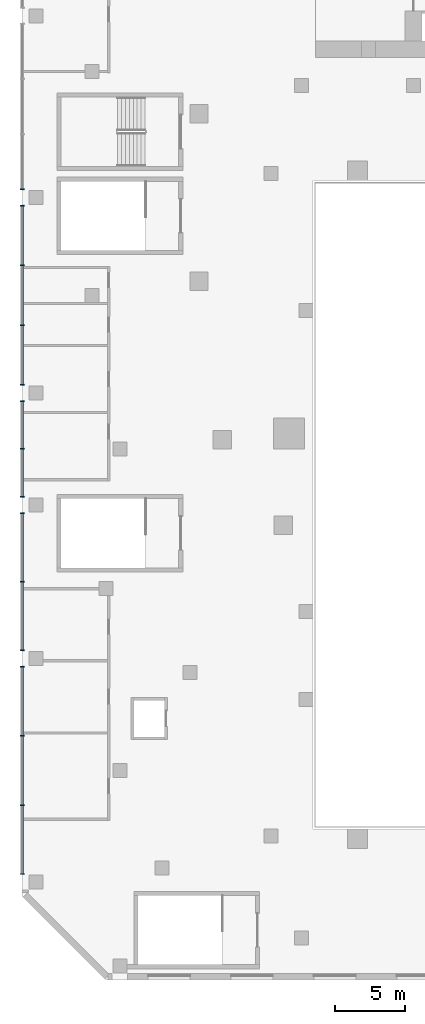
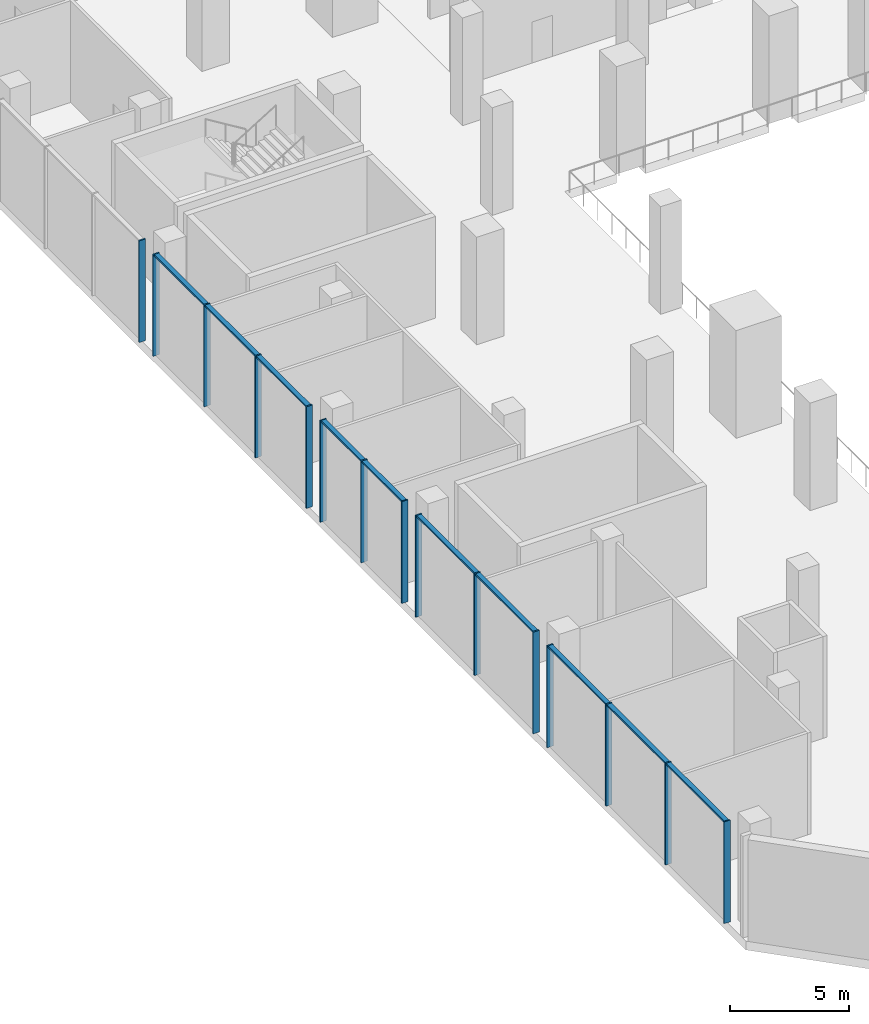
# One storey, part 2 of 25: 25 members, 5 elements without a shape of their own.
"""IFC4 building model written with IfcOpenShell, lengths in metres."""

import ifcopenshell
import ifcopenshell.guid

model = None  # the IFC model being written
_history = None  # IfcOwnerHistory: only IFC2X3 demands one
_inside = {}  # id of a spatial element -> (the spatial element, [elements in it])
_under = {}  # id of a project, library or spatial element -> (it, [spatial elements below it])
_declared = {}  # id of a project -> (the project, [libraries it declares])
_typed = {}  # id of a type object -> (the type object, [elements of that type])
_made_of = {}  # id of a material, layer set ... -> (it, [elements and type objects made of it])


def new_model(schema):
    """Start an empty IFC model of exactly this schema.

    Asked for "IFC4X3", IfcOpenShell would pick the latest addendum, in which some entities
    have other attributes; the version numbers below select the first issue.
    IFC2X3 requires an IfcOwnerHistory on every rooted entity: one is made here for all.
    """
    global model, _history
    if schema == "IFC4X3":
        model = ifcopenshell.file(schema_version=(4, 3, 0, 0))
    else:
        model = ifcopenshell.file(schema=schema)
    _inside.clear()
    _under.clear()
    _declared.clear()
    _typed.clear()
    _made_of.clear()
    _history = None
    if model.schema == "IFC2X3":
        org = make("IfcOrganization", Name="unknown")
        user = make(
            "IfcPersonAndOrganization",
            ThePerson=make("IfcPerson", FamilyName="unknown"),
            TheOrganization=org,
        )
        app = make(
            "IfcApplication",
            ApplicationDeveloper=org,
            Version="unknown",
            ApplicationFullName="unknown",
            ApplicationIdentifier="unknown",
        )
        _history = make(
            "IfcOwnerHistory",
            OwningUser=user,
            OwningApplication=app,
            ChangeAction="ADDED",
            CreationDate=0,
        )
    return model


def make(cls, **values):
    """One entity of the class cls with the attributes given. An attribute that is None is left unset."""
    return model.create_entity(
        cls, **{name: value for name, value in values.items() if value is not None}
    )


def rooted(cls, **values):
    """An entity with a GlobalId (a new one), such as an element, a storey or a relation."""
    return make(cls, GlobalId=ifcopenshell.guid.new(), OwnerHistory=_history, **values)


def si_unit(unit_type, name, prefix=None):
    """IfcSIUnit, for example si_unit("LENGTHUNIT", "METRE", prefix="MILLI")."""
    return make("IfcSIUnit", UnitType=unit_type, Prefix=prefix, Name=name)


def assignment(units):
    """IfcUnitAssignment: the units of a project."""
    return None if units is None else make("IfcUnitAssignment", Units=units)


def point(xyz):
    """IfcCartesianPoint."""
    return None if xyz is None else make("IfcCartesianPoint", Coordinates=xyz)


def direction(xyz):
    """IfcDirection."""
    return None if xyz is None else make("IfcDirection", DirectionRatios=xyz)


def frame(location, z_axis=None, x_axis=None):
    """IfcAxis2Placement3D, a coordinate frame: its origin and axes. An axis left out is left unset."""
    return make(
        "IfcAxis2Placement3D",
        Location=point(location),
        Axis=direction(z_axis),
        RefDirection=direction(x_axis),
    )


def frame_2d(location, x_axis=None):
    """IfcAxis2Placement2D, a coordinate frame in the plane: its origin and x axis."""
    return make(
        "IfcAxis2Placement2D", Location=point(location), RefDirection=direction(x_axis)
    )


def origin():
    """The frame at (0, 0, 0) with its axes left unset."""
    return frame((0.0, 0.0, 0.0))


def origin_2d():
    """The frame at (0, 0) in the plane with its x axis left unset."""
    return frame_2d((0.0, 0.0))


def place(relative_to, where):
    """IfcLocalPlacement: puts the frame where relative to a parent placement (None: the world)."""
    return make(
        "IfcLocalPlacement", PlacementRelTo=relative_to, RelativePlacement=where
    )


def context(
    kind, dimensions, precision=None, world=None, true_north=None, identifier=None
):
    """IfcGeometricRepresentationContext, for example the 3D "Model" context."""
    return make(
        "IfcGeometricRepresentationContext",
        ContextIdentifier=identifier,
        ContextType=kind,
        CoordinateSpaceDimension=dimensions,
        Precision=precision,
        WorldCoordinateSystem=world,
        TrueNorth=true_north,
    )


def subcontext(parent, identifier, kind, view, scale=None):
    """IfcGeometricRepresentationSubContext, for example "Body" below "Model"."""
    return make(
        "IfcGeometricRepresentationSubContext",
        ContextIdentifier=identifier,
        ContextType=kind,
        ParentContext=parent,
        TargetScale=scale,
        TargetView=view,
    )


def project(units=None, contexts=None):
    """IfcProject with its units and contexts."""
    return rooted(
        "IfcProject",
        Name="project",
        RepresentationContexts=contexts,
        UnitsInContext=assignment(units),
    )


def spatial(cls, under=None, at=None, **own):
    """A site, building, storey or space (cls), placed at a placement, below another one or the project."""
    s = rooted(cls, ObjectPlacement=at, **own)
    if under is not None:
        _under.setdefault(under.id(), (under, []))[1].append(s)
    return s


def profile(cls, at=None, kind="AREA", **sizes):
    """A parametric profile (cls). Its sizes go by their IFC names, for example OverallWidth=200.0."""
    return make(cls, ProfileType=kind, Position=at, **sizes)


def rectangle(**sizes):
    """IfcRectangleProfileDef."""
    return profile("IfcRectangleProfileDef", **sizes)


def extrude(swept, where, along, depth):
    """IfcExtrudedAreaSolid: the profile swept, set in the frame where, extruded along a direction by depth."""
    return make(
        "IfcExtrudedAreaSolid",
        SweptArea=swept,
        Position=where,
        ExtrudedDirection=direction(along),
        Depth=depth,
    )


def shape(context_of_items, identifier, shape_type, items):
    """IfcShapeRepresentation: the items that make up one representation, for example the "Body"."""
    return make(
        "IfcShapeRepresentation",
        ContextOfItems=context_of_items,
        RepresentationIdentifier=identifier,
        RepresentationType=shape_type,
        Items=items,
    )


def material(Name=None, Category=None):
    """IfcMaterial."""
    return make("IfcMaterial", Name=Name, Category=Category)


def material_profile(
    of_material, cross_section, Name=None, Category=None, Priority=None
):
    """IfcMaterialProfile: a cross section and its material."""
    return make(
        "IfcMaterialProfile",
        Name=Name,
        Material=of_material,
        Profile=cross_section,
        Priority=Priority,
        Category=Category,
    )


def profile_set(profiles, Name=None, composite=None):
    """IfcMaterialProfileSet."""
    return make(
        "IfcMaterialProfileSet",
        Name=Name,
        MaterialProfiles=profiles,
        CompositeProfile=composite,
    )


def made_of(thing, what):
    """Note that an element or type object is made of a material, layer set ...; save() writes the relation."""
    if what is not None:
        _made_of.setdefault(what.id(), (what, []))[1].append(thing)
    return thing


def type_object(cls, material=None, **own):
    """A type object (cls), such as IfcWallType, which elements share."""
    return made_of(rooted(cls, **own), material)


def element(
    cls,
    number,
    at=None,
    inside=None,
    cuts=None,
    type_object=None,
    material=None,
    context=None,
    identifier="Body",
    shape_type=None,
    held_by="IfcProductDefinitionShape",
    body=None,
    shapes=None,
    **own,
):
    """One element of the class cls, such as IfcWall. Its Tag is "e" and its number.

    at: its placement. inside: the storey or other place that contains it. cuts: it is an
    opening in that element (IfcRelVoidsElement). A single representation is given by context,
    identifier, shape_type and body (its items); several are given by shapes. held_by: the class
    of the entity that holds the representations. save() writes the other relations.
    """
    e = rooted(cls, Tag="e%d" % number, ObjectPlacement=at, **own)
    if body is not None:
        shapes = [shape(context, identifier, shape_type, body)]
    if shapes is not None:
        e.Representation = make(held_by, Representations=shapes)
    if inside is not None:
        _inside.setdefault(inside.id(), (inside, []))[1].append(e)
    if cuts is not None:
        rooted(
            "IfcRelVoidsElement", RelatingBuildingElement=cuts, RelatedOpeningElement=e
        )
    if type_object is not None:
        _typed.setdefault(type_object.id(), (type_object, []))[1].append(e)
    return made_of(e, material)


def aggregate(whole, parts):
    """IfcRelAggregates: a whole, such as a stair, and the parts it consists of."""
    return rooted("IfcRelAggregates", RelatingObject=whole, RelatedObjects=parts)


def save(model, path):
    """Write the relations noted so far, then the file.

    IfcRelAggregates (storeys below a building ...), IfcRelContainedInSpatialStructure (elements
    in a storey), IfcRelDefinesByType, IfcRelAssociatesMaterial and IfcRelDeclares: one each for
    every whole, place, type object, material and project.
    """
    for whole, parts in _under.values():
        aggregate(whole, parts)
    for where, things in _inside.values():
        rooted(
            "IfcRelContainedInSpatialStructure",
            RelatedElements=things,
            RelatingStructure=where,
        )
    for kind, things in _typed.values():
        rooted("IfcRelDefinesByType", RelatedObjects=things, RelatingType=kind)
    for what, things in _made_of.values():
        rooted("IfcRelAssociatesMaterial", RelatedObjects=things, RelatingMaterial=what)
    for by, libraries in _declared.values():
        rooted("IfcRelDeclares", RelatingContext=by, RelatedDefinitions=libraries)
    model.write(path)


model = new_model("IFC4")

# Units and contexts
model_context = context("Model", 3, precision=1e-05, world=origin(), true_north=direction((0.0, 1.0)))
body_context = subcontext(model_context, "Body", "Model", "MODEL_VIEW")
ifc_project = project(units=[si_unit("LENGTHUNIT", "METRE"), si_unit("AREAUNIT", "SQUARE_METRE"), si_unit("VOLUMEUNIT", "CUBIC_METRE"), si_unit("PLANEANGLEUNIT", "RADIAN"), si_unit("MASSUNIT", "GRAM", prefix="KILO")], contexts=[model_context])

# Site, building, storey
site_placement = place(None, origin())
site = spatial("IfcSite", under=ifc_project, at=site_placement, CompositionType="ELEMENT")
building_placement = place(site_placement, origin())
building = spatial("IfcBuilding", under=site, at=building_placement, Name="Wharfspan Tower", CompositionType="ELEMENT")
storey_placement = place(building_placement, frame((0.0, 0.0, 27.5)))
storey = spatial("IfcBuildingStorey", under=building, at=storey_placement, Name="L04", CompositionType="ELEMENT", Elevation=27.5)

# Curtain wall, member
ifc_material = material(Name="Aluminium 6063-T6", Category="aluminium")
curtain_wall_type = type_object("IfcCurtainWallType", Name="CURTAIN WALL ARENA STICK WALL", PredefinedType="NOTDEFINED", material=ifc_material)
curtain_wall_1_placement = place(storey_placement, origin())
curtain_wall_1 = element("IfcCurtainWall", 1, at=curtain_wall_1_placement, inside=storey, type_object=curtain_wall_type, Name="Concourse stick wall PF12.3", PredefinedType="NOTDEFINED")
ifc_material_profile_1 = material_profile(ifc_material, rectangle(XDim=0.300049, YDim=0.070068, at=origin_2d()))
ifc_profile_set_1 = profile_set([ifc_material_profile_1], Name="Aluminium 6063-T6")
member_type_1 = type_object("IfcMemberType", Name="MULLION ARENA STICK WALL 70x300", PredefinedType="MULLION", material=ifc_profile_set_1)
member_1_placement = place(storey_placement, frame((-12.0, 24.584961, 0.0), z_axis=(0.0, 0.0, 1.0), x_axis=(1.0, 0.0, 0.0)))
member_1 = element("IfcMember", 2, at=member_1_placement, type_object=member_type_1, Name="Concourse stick wall PF12.3 mullion 4", PredefinedType="MULLION", context=body_context, shape_type="SweptSolid", body=[
    extrude(rectangle(XDim=0.300049, YDim=0.070068, at=origin_2d()), origin(), (0.0, 0.0, 1.0), 5.199951),
])
aggregate(curtain_wall_1, [member_1])

# Curtain wall, members
curtain_wall_2_placement = place(storey_placement, origin())
curtain_wall_2 = element("IfcCurtainWall", 3, at=curtain_wall_2_placement, inside=storey, type_object=curtain_wall_type, Name="Concourse stick wall PF12.4", PredefinedType="NOTDEFINED")
member_2_placement = place(storey_placement, frame((-12.0, 23.415039, 0.0), z_axis=(0.0, 0.0, 1.0), x_axis=(1.0, 0.0, 0.0)))
member_2 = element("IfcMember", 4, at=member_2_placement, type_object=member_type_1, Name="Concourse stick wall PF12.4 mullion 1", PredefinedType="MULLION", context=body_context, shape_type="SweptSolid", body=[
    extrude(rectangle(XDim=0.300049, YDim=0.070068, at=origin_2d()), origin(), (0.0, 0.0, 1.0), 5.199951),
])
member_3_placement = place(storey_placement, frame((-12.0, 19.149902, 0.0), z_axis=(0.0, 0.0, 1.0), x_axis=(1.0, 0.0, 0.0)))
member_3 = element("IfcMember", 5, at=member_3_placement, type_object=member_type_1, Name="Concourse stick wall PF12.4 mullion 2", PredefinedType="MULLION", context=body_context, shape_type="SweptSolid", body=[
    extrude(rectangle(XDim=0.300049, YDim=0.070068, at=origin_2d()), origin(), (0.0, 0.0, 1.0), 5.199951),
])
member_4_placement = place(storey_placement, frame((-12.0, 14.850098, 0.0), z_axis=(0.0, 0.0, 1.0), x_axis=(1.0, 0.0, 0.0)))
member_4 = element("IfcMember", 6, at=member_4_placement, type_object=member_type_1, Name="Concourse stick wall PF12.4 mullion 3", PredefinedType="MULLION", context=body_context, shape_type="SweptSolid", body=[
    extrude(rectangle(XDim=0.300049, YDim=0.070068, at=origin_2d()), origin(), (0.0, 0.0, 1.0), 5.199951),
])
member_5_placement = place(storey_placement, frame((-12.0, 10.584961, 0.0), z_axis=(0.0, 0.0, 1.0), x_axis=(1.0, 0.0, 0.0)))
member_5 = element("IfcMember", 7, at=member_5_placement, type_object=member_type_1, Name="Concourse stick wall PF12.4 mullion 4", PredefinedType="MULLION", context=body_context, shape_type="SweptSolid", body=[
    extrude(rectangle(XDim=0.300049, YDim=0.070068, at=origin_2d()), origin(), (0.0, 0.0, 1.0), 5.199951),
])

curtain_wall_3_placement = place(storey_placement, origin())
curtain_wall_3 = element("IfcCurtainWall", 8, at=curtain_wall_3_placement, inside=storey, type_object=curtain_wall_type, Name="Concourse stick wall PF12.5", PredefinedType="NOTDEFINED")
member_6_placement = place(storey_placement, frame((-12.0, 9.415039, 0.0), z_axis=(0.0, 0.0, 1.0), x_axis=(1.0, 0.0, 0.0)))
member_6 = element("IfcMember", 9, at=member_6_placement, type_object=member_type_1, Name="Concourse stick wall PF12.5 mullion 1", PredefinedType="MULLION", context=body_context, shape_type="SweptSolid", body=[
    extrude(rectangle(XDim=0.300049, YDim=0.070068, at=origin_2d()), origin(), (0.0, 0.0, 1.0), 5.199951),
])
member_7_placement = place(storey_placement, frame((-12.0, 6.0, 0.0), z_axis=(0.0, 0.0, 1.0), x_axis=(1.0, 0.0, 0.0)))
member_7 = element("IfcMember", 10, at=member_7_placement, type_object=member_type_1, Name="Concourse stick wall PF12.5 mullion 2", PredefinedType="MULLION", context=body_context, shape_type="SweptSolid", body=[
    extrude(rectangle(XDim=0.300049, YDim=0.070068, at=origin_2d()), origin(), (0.0, 0.0, 1.0), 5.199951),
])
member_8_placement = place(storey_placement, frame((-12.0, 2.584961, 0.0), z_axis=(0.0, 0.0, 1.0), x_axis=(1.0, 0.0, 0.0)))
member_8 = element("IfcMember", 11, at=member_8_placement, type_object=member_type_1, Name="Concourse stick wall PF12.5 mullion 3", PredefinedType="MULLION", context=body_context, shape_type="SweptSolid", body=[
    extrude(rectangle(XDim=0.300049, YDim=0.070068, at=origin_2d()), origin(), (0.0, 0.0, 1.0), 5.199951),
])

curtain_wall_4_placement = place(storey_placement, origin())
curtain_wall_4 = element("IfcCurtainWall", 12, at=curtain_wall_4_placement, inside=storey, type_object=curtain_wall_type, Name="Concourse stick wall PF12.6", PredefinedType="NOTDEFINED")
member_9_placement = place(storey_placement, frame((-12.0, 1.415039, 0.0), z_axis=(0.0, 0.0, 1.0), x_axis=(1.0, 0.0, 0.0)))
member_9 = element("IfcMember", 13, at=member_9_placement, type_object=member_type_1, Name="Concourse stick wall PF12.6 mullion 1", PredefinedType="MULLION", context=body_context, shape_type="SweptSolid", body=[
    extrude(rectangle(XDim=0.300049, YDim=0.070068, at=origin_2d()), origin(), (0.0, 0.0, 1.0), 5.199951),
])
member_10_placement = place(storey_placement, frame((-12.0, -3.5, 0.0), z_axis=(0.0, 0.0, 1.0), x_axis=(1.0, 0.0, 0.0)))
member_10 = element("IfcMember", 14, at=member_10_placement, type_object=member_type_1, Name="Concourse stick wall PF12.6 mullion 2", PredefinedType="MULLION", context=body_context, shape_type="SweptSolid", body=[
    extrude(rectangle(XDim=0.300049, YDim=0.070068, at=origin_2d()), origin(), (0.0, 0.0, 1.0), 5.199951),
])
member_11_placement = place(storey_placement, frame((-12.0, -8.415039, 0.0), z_axis=(0.0, 0.0, 1.0), x_axis=(1.0, 0.0, 0.0)))
member_11 = element("IfcMember", 15, at=member_11_placement, type_object=member_type_1, Name="Concourse stick wall PF12.6 mullion 3", PredefinedType="MULLION", context=body_context, shape_type="SweptSolid", body=[
    extrude(rectangle(XDim=0.300049, YDim=0.070068, at=origin_2d()), origin(), (0.0, 0.0, 1.0), 5.199951),
])

curtain_wall_5_placement = place(storey_placement, origin())
curtain_wall_5 = element("IfcCurtainWall", 16, at=curtain_wall_5_placement, inside=storey, type_object=curtain_wall_type, Name="Concourse stick wall PF12.7", PredefinedType="NOTDEFINED")
member_12_placement = place(storey_placement, frame((-12.0, -9.584961, 0.0), z_axis=(0.0, 0.0, 1.0), x_axis=(1.0, 0.0, 0.0)))
member_12 = element("IfcMember", 17, at=member_12_placement, type_object=member_type_1, Name="Concourse stick wall PF12.7 mullion 1", PredefinedType="MULLION", context=body_context, shape_type="SweptSolid", body=[
    extrude(rectangle(XDim=0.300049, YDim=0.070068, at=origin_2d()), origin(), (0.0, 0.0, 1.0), 5.199951),
])
member_13_placement = place(storey_placement, frame((-12.0, -14.516602, 0.0), z_axis=(0.0, 0.0, 1.0), x_axis=(1.0, 0.0, 0.0)))
member_13 = element("IfcMember", 18, at=member_13_placement, type_object=member_type_1, Name="Concourse stick wall PF12.7 mullion 2", PredefinedType="MULLION", context=body_context, shape_type="SweptSolid", body=[
    extrude(rectangle(XDim=0.300049, YDim=0.070068, at=origin_2d()), origin(), (0.0, 0.0, 1.0), 5.199951),
])
member_14_placement = place(storey_placement, frame((-12.0, -19.483398, 0.0), z_axis=(0.0, 0.0, 1.0), x_axis=(1.0, 0.0, 0.0)))
member_14 = element("IfcMember", 19, at=member_14_placement, type_object=member_type_1, Name="Concourse stick wall PF12.7 mullion 3", PredefinedType="MULLION", context=body_context, shape_type="SweptSolid", body=[
    extrude(rectangle(XDim=0.300049, YDim=0.070068, at=origin_2d()), origin(), (0.0, 0.0, 1.0), 5.199951),
])
member_15_placement = place(storey_placement, frame((-12.0, -24.415039, 0.0), z_axis=(0.0, 0.0, 1.0), x_axis=(1.0, 0.0, 0.0)))
member_15 = element("IfcMember", 20, at=member_15_placement, type_object=member_type_1, Name="Concourse stick wall PF12.7 mullion 4", PredefinedType="MULLION", context=body_context, shape_type="SweptSolid", body=[
    extrude(rectangle(XDim=0.300049, YDim=0.070068, at=origin_2d()), origin(), (0.0, 0.0, 1.0), 5.199951),
])

# Member
ifc_material_profile_2 = material_profile(ifc_material, rectangle(XDim=0.219971, YDim=0.090088, at=origin_2d()))
ifc_profile_set_2 = profile_set([ifc_material_profile_2], Name="Aluminium 6063-T6")
member_type_2 = type_object("IfcMemberType", Name="TRANSOM ARENA STICK WALL 90x220", PredefinedType="USERDEFINED", material=ifc_profile_set_2)
member_16_placement = place(storey_placement, frame((-12.0, 23.379883, 5.155029), z_axis=(0.0, -1.0, 0.0), x_axis=(1.0, 0.0, 0.0)))
member_16 = element("IfcMember", 21, at=member_16_placement, type_object=member_type_2, Name="Concourse stick wall PF12.4 transom 1", ObjectType="TRANSOM", PredefinedType="USERDEFINED", context=body_context, shape_type="SweptSolid", body=[
    extrude(rectangle(XDim=0.219971, YDim=0.090088, at=origin_2d()), origin(), (0.0, 0.0, 1.0), 4.194824),
])

member_17_placement = place(storey_placement, frame((-12.0, 19.11499, 5.155029), z_axis=(0.0, -1.0, 0.0), x_axis=(1.0, 0.0, 0.0)))
member_17 = element("IfcMember", 22, at=member_17_placement, type_object=member_type_2, Name="Concourse stick wall PF12.4 transom 2", ObjectType="TRANSOM", PredefinedType="USERDEFINED", context=body_context, shape_type="SweptSolid", body=[
    extrude(rectangle(XDim=0.219971, YDim=0.090088, at=origin_2d()), origin(), (0.0, 0.0, 1.0), 4.22998),
])

member_18_placement = place(storey_placement, frame((-12.0, 14.814941, 5.155029), z_axis=(0.0, -1.0, 0.0), x_axis=(1.0, 0.0, 0.0)))
member_18 = element("IfcMember", 23, at=member_18_placement, type_object=member_type_2, Name="Concourse stick wall PF12.4 transom 3", ObjectType="TRANSOM", PredefinedType="USERDEFINED", context=body_context, shape_type="SweptSolid", body=[
    extrude(rectangle(XDim=0.219971, YDim=0.090088, at=origin_2d()), origin(), (0.0, 0.0, 1.0), 4.194824),
])

aggregate(curtain_wall_2, [member_2, member_3, member_4, member_5, member_16, member_17, member_18])

member_19_placement = place(storey_placement, frame((-12.0, 9.379883, 5.155029), z_axis=(0.0, -1.0, 0.0), x_axis=(1.0, 0.0, 0.0)))
member_19 = element("IfcMember", 24, at=member_19_placement, type_object=member_type_2, Name="Concourse stick wall PF12.5 transom 1", ObjectType="TRANSOM", PredefinedType="USERDEFINED", context=body_context, shape_type="SweptSolid", body=[
    extrude(rectangle(XDim=0.219971, YDim=0.090088, at=origin_2d()), origin(), (0.0, 0.0, 1.0), 3.344971),
])

member_20_placement = place(storey_placement, frame((-12.0, 5.965088, 5.155029), z_axis=(0.0, -1.0, 0.0), x_axis=(1.0, 0.0, 0.0)))
member_20 = element("IfcMember", 25, at=member_20_placement, type_object=member_type_2, Name="Concourse stick wall PF12.5 transom 2", ObjectType="TRANSOM", PredefinedType="USERDEFINED", context=body_context, shape_type="SweptSolid", body=[
    extrude(rectangle(XDim=0.219971, YDim=0.090088, at=origin_2d()), origin(), (0.0, 0.0, 1.0), 3.344971),
])

aggregate(curtain_wall_3, [member_6, member_7, member_8, member_19, member_20])

member_21_placement = place(storey_placement, frame((-12.0, 1.379883, 5.155029), z_axis=(0.0, -1.0, 0.0), x_axis=(1.0, 0.0, 0.0)))
member_21 = element("IfcMember", 26, at=member_21_placement, type_object=member_type_2, Name="Concourse stick wall PF12.6 transom 1", ObjectType="TRANSOM", PredefinedType="USERDEFINED", context=body_context, shape_type="SweptSolid", body=[
    extrude(rectangle(XDim=0.219971, YDim=0.090088, at=origin_2d()), origin(), (0.0, 0.0, 1.0), 4.844971),
])

member_22_placement = place(storey_placement, frame((-12.0, -3.534912, 5.155029), z_axis=(0.0, -1.0, 0.0), x_axis=(1.0, 0.0, 0.0)))
member_22 = element("IfcMember", 27, at=member_22_placement, type_object=member_type_2, Name="Concourse stick wall PF12.6 transom 2", ObjectType="TRANSOM", PredefinedType="USERDEFINED", context=body_context, shape_type="SweptSolid", body=[
    extrude(rectangle(XDim=0.219971, YDim=0.090088, at=origin_2d()), origin(), (0.0, 0.0, 1.0), 4.844971),
])

aggregate(curtain_wall_4, [member_9, member_10, member_11, member_21, member_22])

member_23_placement = place(storey_placement, frame((-12.0, -9.620117, 5.155029), z_axis=(0.0, -1.0, 0.0), x_axis=(1.0, 0.0, 0.0)))
member_23 = element("IfcMember", 28, at=member_23_placement, type_object=member_type_2, Name="Concourse stick wall PF12.7 transom 1", ObjectType="TRANSOM", PredefinedType="USERDEFINED", context=body_context, shape_type="SweptSolid", body=[
    extrude(rectangle(XDim=0.219971, YDim=0.090088, at=origin_2d()), origin(), (0.0, 0.0, 1.0), 4.861572),
])

member_24_placement = place(storey_placement, frame((-12.0, -14.551758, 5.155029), z_axis=(0.0, -1.0, 0.0), x_axis=(1.0, 0.0, 0.0)))
member_24 = element("IfcMember", 29, at=member_24_placement, type_object=member_type_2, Name="Concourse stick wall PF12.7 transom 2", ObjectType="TRANSOM", PredefinedType="USERDEFINED", context=body_context, shape_type="SweptSolid", body=[
    extrude(rectangle(XDim=0.219971, YDim=0.090088, at=origin_2d()), origin(), (0.0, 0.0, 1.0), 4.896484),
])

member_25_placement = place(storey_placement, frame((-12.0, -19.518311, 5.155029), z_axis=(0.0, -1.0, 0.0), x_axis=(1.0, 0.0, 0.0)))
member_25 = element("IfcMember", 30, at=member_25_placement, type_object=member_type_2, Name="Concourse stick wall PF12.7 transom 3", ObjectType="TRANSOM", PredefinedType="USERDEFINED", context=body_context, shape_type="SweptSolid", body=[
    extrude(rectangle(XDim=0.219971, YDim=0.090088, at=origin_2d()), origin(), (0.0, 0.0, 1.0), 4.861572),
])

aggregate(curtain_wall_5, [member_12, member_13, member_14, member_15, member_23, member_24, member_25])

save(model, "model.ifc")
